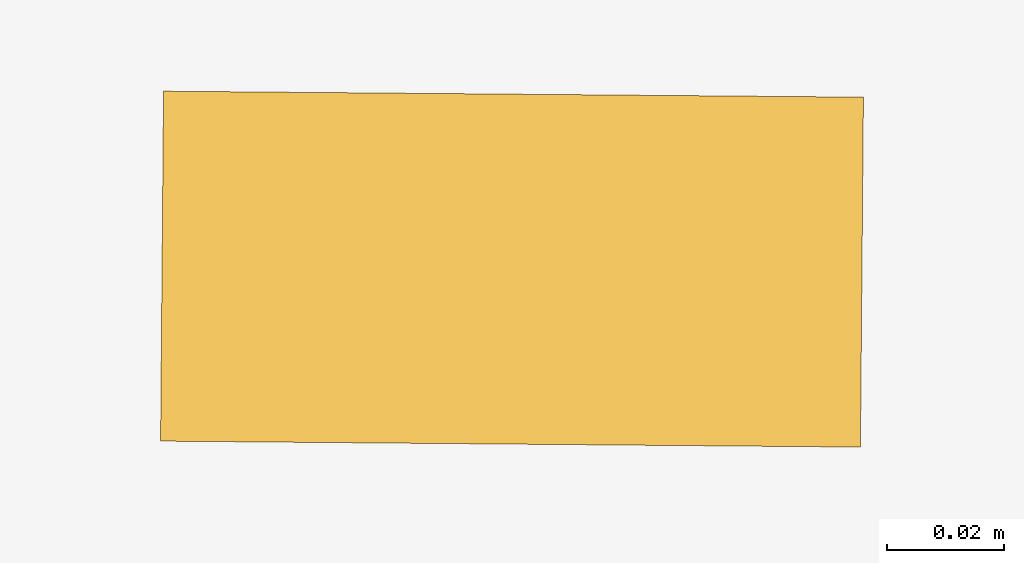
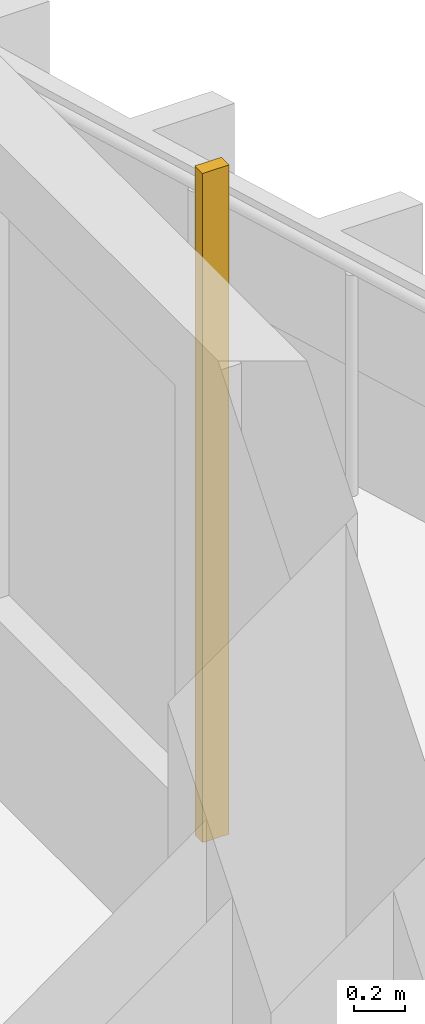
# One storey, part 20 of 22: 1 shading device.
"""IFC4 building model written with IfcOpenShell, lengths in metres."""

from ifc_helpers import new_model, si_unit, direction, frame, origin, origin_2d, place, context, subcontext, project, spatial, rectangle, extrude, source, transform, mapped, material, material_profile, profile_set, type_object, element, save


model = new_model("IFC4")

# Units and contexts
model_context = context("Model", 3, precision=1e-05, world=origin(), true_north=direction((0.0, 1.0)))
body_context = subcontext(model_context, "Body", "Model", "MODEL_VIEW")
ifc_project = project(units=[si_unit("LENGTHUNIT", "METRE"), si_unit("AREAUNIT", "SQUARE_METRE"), si_unit("VOLUMEUNIT", "CUBIC_METRE"), si_unit("PLANEANGLEUNIT", "RADIAN"), si_unit("MASSUNIT", "GRAM", prefix="KILO")], contexts=[model_context])

# Site, building, storey
site_placement = place(None, origin())
site = spatial("IfcSite", under=ifc_project, at=site_placement, CompositionType="ELEMENT")
building_placement = place(site_placement, origin())
building = spatial("IfcBuilding", under=site, at=building_placement, Name="Kilnfold Tower and Market Hall", CompositionType="ELEMENT")
storey_placement = place(building_placement, frame((0.0, 0.0, 154.10009765625)))
storey = spatial("IfcBuildingStorey", under=building, at=storey_placement, Name="L35", CompositionType="ELEMENT", Elevation=154.10009765625)

# Shading device
ifc_material = material(Name="Terracotta", Category="masonry")
ifc_material_profile = material_profile(ifc_material, rectangle(XDim=0.06005859375, YDim=0.1201171875, at=origin_2d()), Name="BAG 60x120")
ifc_profile_set = profile_set([ifc_material_profile], Name="Terracotta")
shading_device_type = type_object("IfcShadingDeviceType", Name="BAGUETTE", PredefinedType="USERDEFINED", material=ifc_profile_set)
shared_shape = source(origin(), body_context, "Body", "SweptSolid", [
    extrude(rectangle(XDim=0.06005859375, YDim=0.1201171875, at=origin_2d()), origin(), (0.0, 0.0, 1.0), 3.179931640625),
])
shading_device_placement = place(storey_placement, frame((25.550048828125, 10.050048828125, 0.0), z_axis=(0.0, 0.0, 1.0), x_axis=(0.008532811166, 0.999963594904, 0.0)))
element("IfcShadingDevice", 1, at=shading_device_placement, inside=storey, type_object=shading_device_type, Name="Terracotta baguette L35 E", ObjectType="BAGUETTE", PredefinedType="USERDEFINED", context=body_context, shape_type="MappedRepresentation", body=[
    mapped(shared_shape, transform((0.0, 0.0, 0.0))),
])

save(model, "model.ifc")
